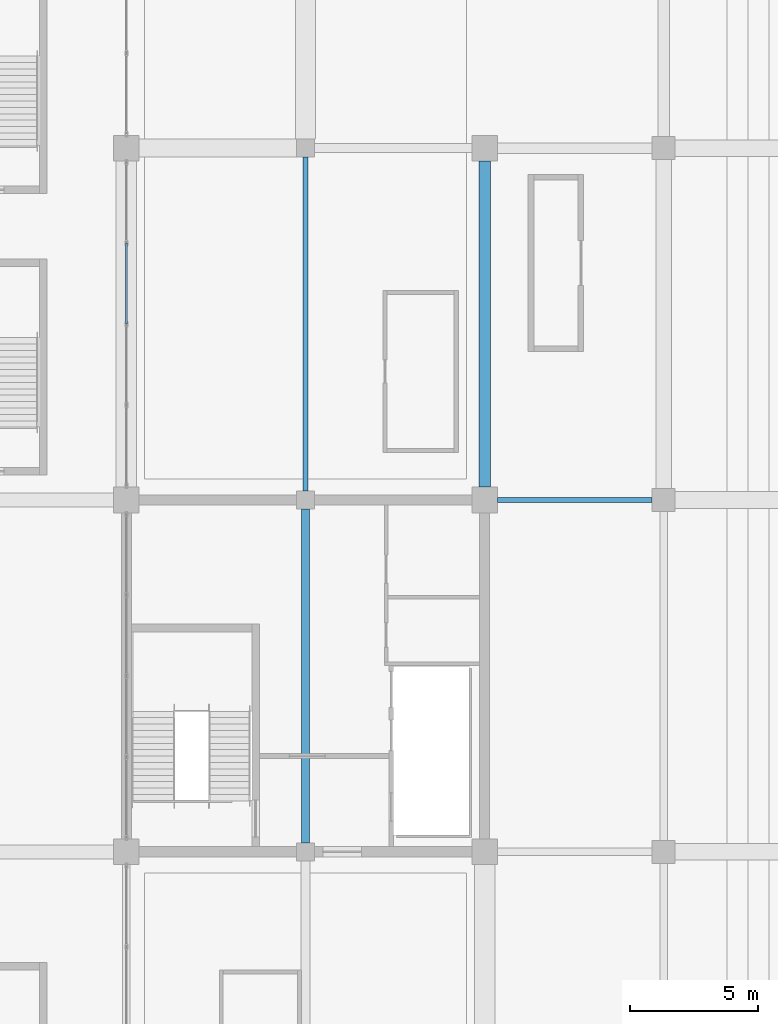
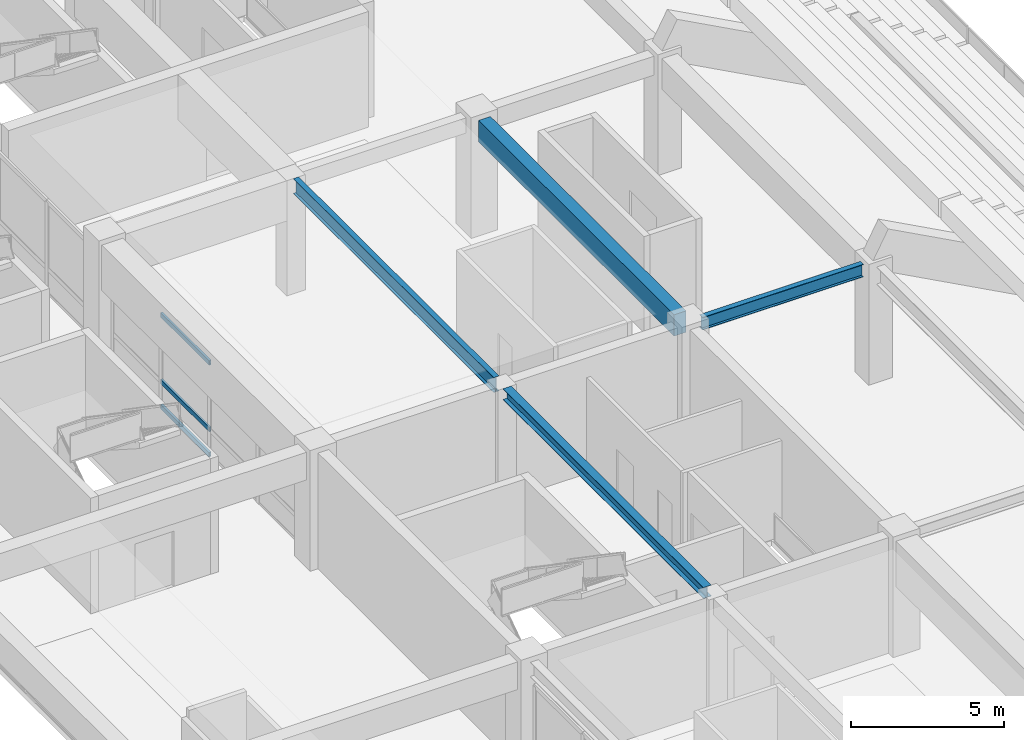
# One storey, part 30 of 94: 4 beams, 3 members, 1 element without a shape of its own.
"""IFC4 building model written with IfcOpenShell, lengths in metres."""

from ifc_helpers import new_model, si_unit, direction, frame, origin, origin_2d, place, context, subcontext, project, spatial, rectangle, hollow_rectangle, i_section, extrude, material, material_profile, profile_set, type_object, element, aggregate, save


model = new_model("IFC4")

# Units and contexts
model_context = context("Model", 3, precision=1e-05, world=origin(), true_north=direction((0.0, 1.0)))
body_context = subcontext(model_context, "Body", "Model", "MODEL_VIEW")
ifc_project = project(units=[si_unit("LENGTHUNIT", "METRE"), si_unit("AREAUNIT", "SQUARE_METRE"), si_unit("VOLUMEUNIT", "CUBIC_METRE"), si_unit("PLANEANGLEUNIT", "RADIAN"), si_unit("MASSUNIT", "GRAM", prefix="KILO")], contexts=[model_context])

# Site, building, storey
site_placement = place(None, origin())
site = spatial("IfcSite", under=ifc_project, at=site_placement, CompositionType="ELEMENT")
building_placement = place(site_placement, origin())
building = spatial("IfcBuilding", under=site, at=building_placement, Name="Linyun Crest Stadium", CompositionType="ELEMENT")
storey_placement = place(building_placement, frame((0.0, 0.0, 16.199951171875)))
storey = spatial("IfcBuildingStorey", under=building, at=storey_placement, Name="L04", CompositionType="ELEMENT", Elevation=16.199951171875)

# Beams
ifc_material_1 = material(Name="Concrete C40", Category="concrete")
ifc_material_profile_1 = material_profile(ifc_material_1, rectangle(XDim=0.449951171875, YDim=0.85009765625, at=origin_2d()), Name="RCB 850x450")
ifc_profile_set_1 = profile_set([ifc_material_profile_1], Name="Concrete C40")
beam_type_1 = type_object("IfcBeamType", Name="B04", PredefinedType="BEAM", material=ifc_profile_set_1)
beam_1_placement = place(storey_placement, frame((-70.0, 16.375, 4.175048828125), z_axis=(0.0, 1.0, 0.0), x_axis=(-1.0, 0.0, 0.0)))
element("IfcBeam", 1, at=beam_1_placement, inside=storey, type_object=beam_type_1, Name="Frame beam B04 L04 341", PredefinedType="BEAM", context=body_context, shape_type="SweptSolid", body=[
    extrude(rectangle(XDim=0.449951171875, YDim=0.85009765625, at=origin_2d()), origin(), (0.0, 0.0, 1.0), 12.75),
])
ifc_material_2 = material(Name="Steel Q355C", Category="steel")
ifc_material_profile_2 = material_profile(ifc_material_2, i_section(OverallWidth=0.300048828125, OverallDepth=0.43994140625, WebThickness=0.010986328125, FlangeThickness=0.01806640625, at=origin_2d()), Name="HM 440x300")
ifc_profile_set_2 = profile_set([ifc_material_profile_2], Name="Steel Q355C")
beam_type_2 = type_object("IfcBeamType", Name="B07", PredefinedType="BEAM", material=ifc_profile_set_2)
beam_2_placement = place(storey_placement, frame((-77.0, 2.47509765625, 4.380126953125), z_axis=(0.0, 1.0, 0.0), x_axis=(-1.0, 0.0, 0.0)))
element("IfcBeam", 2, at=beam_2_placement, inside=storey, type_object=beam_type_2, Name="Frame beam B07 L04 335", PredefinedType="BEAM", context=body_context, shape_type="SweptSolid", body=[
    extrude(i_section(OverallWidth=0.300048828125, OverallDepth=0.43994140625, WebThickness=0.010986328125, FlangeThickness=0.01806640625, at=origin_2d()), origin(), (0.0, 0.0, 1.0), 13.0498046875),
])
ifc_material_3 = material(Name="Steel Q355C", Category="steel")
ifc_material_profile_3 = material_profile(ifc_material_3, i_section(OverallWidth=0.199951171875, OverallDepth=0.5, WebThickness=0.010009765625, FlangeThickness=0.01611328125, at=origin_2d()), Name="HN 500x200")
ifc_profile_set_3 = profile_set([ifc_material_profile_3], Name="Steel Q355C")
beam_type_3 = type_object("IfcBeamType", Name="B10", PredefinedType="BEAM", material=ifc_profile_set_3)
beam_3_placement = place(storey_placement, frame((-69.5, 15.875, 4.35009765625), z_axis=(1.0, 0.0, 0.0), x_axis=(0.0, 1.0, 0.0)))
element("IfcBeam", 3, at=beam_3_placement, inside=storey, type_object=beam_type_3, Name="Frame beam B10 L04 313", PredefinedType="BEAM", context=body_context, shape_type="SweptSolid", body=[
    extrude(i_section(OverallWidth=0.199951171875, OverallDepth=0.5, WebThickness=0.010009765625, FlangeThickness=0.01611328125, at=origin_2d()), origin(), (0.0, 0.0, 1.0), 6.050048828125),
])
ifc_material_4 = material(Name="Steel Q355C", Category="steel")
ifc_material_profile_4 = material_profile(ifc_material_4, i_section(OverallWidth=0.199951171875, OverallDepth=0.60009765625, WebThickness=0.010986328125, FlangeThickness=0.01708984375, at=origin_2d()), Name="HN 600x200")
ifc_profile_set_4 = profile_set([ifc_material_profile_4], Name="Steel Q355C")
beam_type_4 = type_object("IfcBeamType", Name="B11", PredefinedType="BEAM", material=ifc_profile_set_4)
beam_4_placement = place(storey_placement, frame((-77.0, 16.22509765625, 4.300048828125), z_axis=(0.0, 1.0, 0.0), x_axis=(-1.0, 0.0, 0.0)))
element("IfcBeam", 4, at=beam_4_placement, inside=storey, type_object=beam_type_4, Name="Frame beam B11 L04 336", PredefinedType="BEAM", context=body_context, shape_type="SweptSolid", body=[
    extrude(i_section(OverallWidth=0.199951171875, OverallDepth=0.60009765625, WebThickness=0.010986328125, FlangeThickness=0.01708984375, at=origin_2d()), origin(), (0.0, 0.0, 1.0), 13.0498046875),
])

# Curtain wall, members
ifc_material_5 = material(Name="Verdigris steel and low-E curtain wall assembly", Category="steel")
curtain_wall_type = type_object("IfcCurtainWallType", Name="MCW06", PredefinedType="NOTDEFINED", material=ifc_material_5)
curtain_wall_placement = place(storey_placement, origin())
curtain_wall = element("IfcCurtainWall", 5, at=curtain_wall_placement, inside=storey, type_object=curtain_wall_type, Name="CWR-111", PredefinedType="NOTDEFINED")
ifc_material_6 = material(Name="Verdigris painted steel Q355B transom", Category="steel")
ifc_material_profile_5 = material_profile(ifc_material_6, hollow_rectangle(XDim=0.080078125, YDim=0.179931640625, WallThickness=0.006103515625, at=origin_2d()), Name="RHS 180x80x6")
ifc_profile_set_5 = profile_set([ifc_material_profile_5], Name="Verdigris painted steel Q355B transom")
member_type = type_object("IfcMemberType", Name="TR02", PredefinedType="USERDEFINED", material=ifc_profile_set_5)
member_1_placement = place(storey_placement, frame((-84.0, 22.75, 0.0), z_axis=(0.0, 1.0, 0.0), x_axis=(-1.0, 0.0, 0.0)))
member_1 = element("IfcMember", 6, at=member_1_placement, type_object=member_type, Name="CWR-111 transom 3.1", ObjectType="TRANSOM", PredefinedType="USERDEFINED", context=body_context, shape_type="SweptSolid", body=[
    extrude(hollow_rectangle(XDim=0.080078125, YDim=0.179931640625, WallThickness=0.006103515625, at=origin_2d()), origin(), (0.0, 0.0, 1.0), 3.162109375),
])
member_2_placement = place(storey_placement, frame((-84.0, 22.75, 1.0), z_axis=(0.0, 1.0, 0.0), x_axis=(-1.0, 0.0, 0.0)))
member_2 = element("IfcMember", 7, at=member_2_placement, type_object=member_type, Name="CWR-111 transom 3.2", ObjectType="TRANSOM", PredefinedType="USERDEFINED", context=body_context, shape_type="SweptSolid", body=[
    extrude(hollow_rectangle(XDim=0.080078125, YDim=0.179931640625, WallThickness=0.006103515625, at=origin_2d()), origin(), (0.0, 0.0, 1.0), 3.162109375),
])
member_3_placement = place(storey_placement, frame((-84.0, 22.75, 3.650146484375), z_axis=(0.0, 1.0, 0.0), x_axis=(-1.0, 0.0, 0.0)))
member_3 = element("IfcMember", 8, at=member_3_placement, type_object=member_type, Name="CWR-111 transom 3.3", ObjectType="TRANSOM", PredefinedType="USERDEFINED", context=body_context, shape_type="SweptSolid", body=[
    extrude(hollow_rectangle(XDim=0.080078125, YDim=0.179931640625, WallThickness=0.006103515625, at=origin_2d()), origin(), (0.0, 0.0, 1.0), 3.162109375),
])
aggregate(curtain_wall, [member_1, member_2, member_3])

save(model, "model.ifc")
